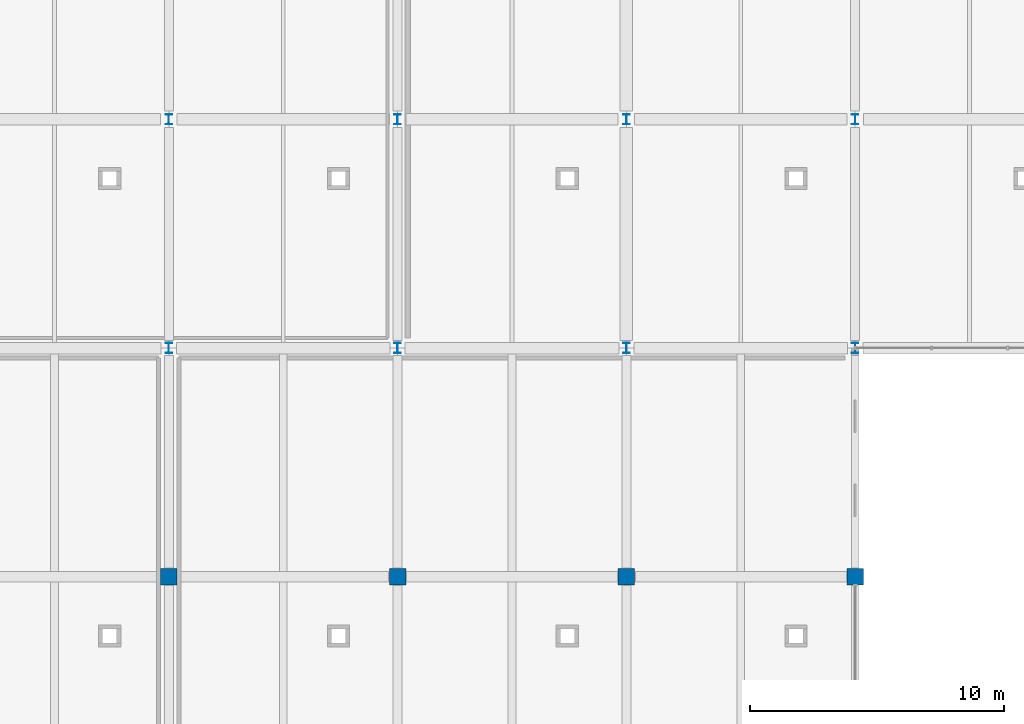
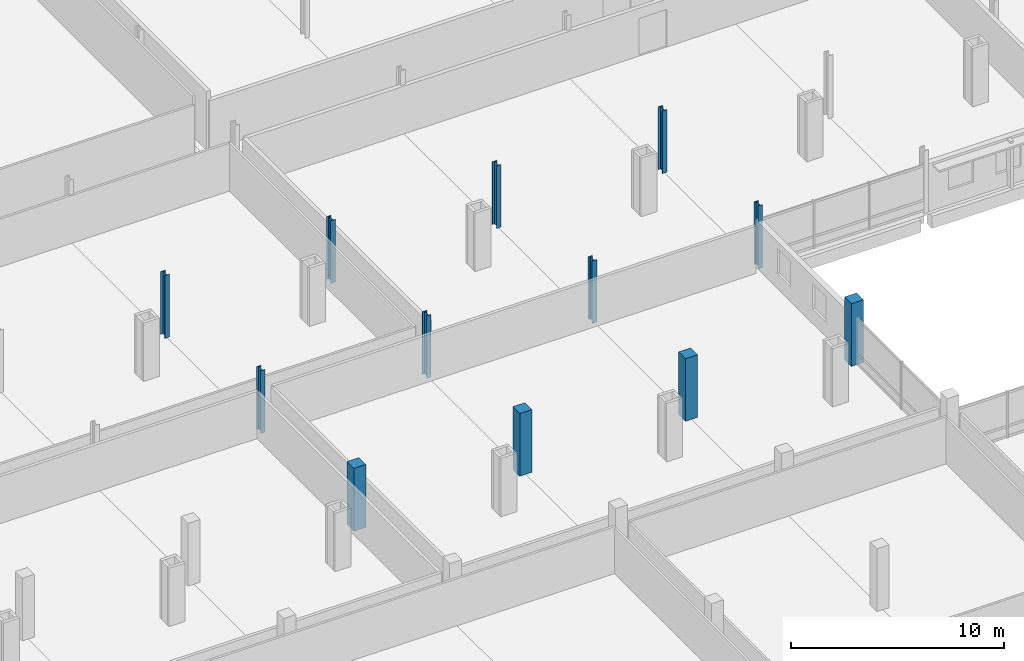
# One storey, part 3 of 132: 12 columns.
"""IFC4 building model written with IfcOpenShell, lengths in metres."""

from ifc_helpers import new_model, si_unit, direction, frame, origin, origin_2d, place, context, subcontext, project, spatial, rectangle, i_section, extrude, material, material_profile, profile_set, type_object, element, save


model = new_model("IFC4")

# Units and contexts
model_context = context("Model", 3, precision=1e-05, world=origin(), true_north=direction((0.0, 1.0)))
body_context = subcontext(model_context, "Body", "Model", "MODEL_VIEW")
ifc_project = project(units=[si_unit("LENGTHUNIT", "METRE"), si_unit("AREAUNIT", "SQUARE_METRE"), si_unit("VOLUMEUNIT", "CUBIC_METRE"), si_unit("PLANEANGLEUNIT", "RADIAN"), si_unit("MASSUNIT", "GRAM", prefix="KILO")], contexts=[model_context])

# Site, building, storey
site_placement = place(None, origin())
site = spatial("IfcSite", under=ifc_project, at=site_placement, CompositionType="ELEMENT")
building_placement = place(site_placement, origin())
building = spatial("IfcBuilding", under=site, at=building_placement, Name="Tharagai Park Tramway Depot", CompositionType="ELEMENT")
storey_placement = place(building_placement, frame((0.0, 0.0, 4.800048828125)))
storey = spatial("IfcBuildingStorey", under=building, at=storey_placement, Name="L01", CompositionType="ELEMENT", Elevation=4.800048828125)

# Columns
ifc_material_1 = material(Name="Steel E350", Category="steel")
ifc_material_profile_1 = material_profile(ifc_material_1, i_section(OverallWidth=0.25, OverallDepth=0.39990234375, WebThickness=0.010498046875, FlangeThickness=0.0126953125, FilletRadius=0.013916015625, at=origin_2d()), Name="ISHB 400")
ifc_profile_set_1 = profile_set([ifc_material_profile_1], Name="Steel E350")
column_type_1 = type_object("IfcColumnType", Name="CL-06", PredefinedType="COLUMN", material=ifc_profile_set_1)
for number, where, z_axis, x_axis, name in (
    (1, (36.0, 45.0, 0.0), (0.0, 0.0, 1.0), (1.0, 0.0, 0.0), "L01 Structural Column CL-06 (36,45)"),
    (2, (36.0, 54.0, 0.0), (0.0, 0.0, 1.0), (1.0, 0.0, 0.0), "L01 Structural Column CL-06 (36,54)"),
    (3, (45.0, 45.0, 0.0), (0.0, 0.0, 1.0), (1.0, 0.0, 0.0), "L01 Structural Column CL-06 (45,45)"),
    (4, (45.0, 54.0, 0.0), (0.0, 0.0, 1.0), (1.0, 0.0, 0.0), "L01 Structural Column CL-06 (45,54)"),
    (5, (54.0, 45.0, 0.0), (0.0, 0.0, 1.0), (1.0, 0.0, 0.0), "L01 Structural Column CL-06 (54,45)"),
    (6, (54.0, 54.0, 0.0), (0.0, 0.0, 1.0), (1.0, 0.0, 0.0), "L01 Structural Column CL-06 (54,54)"),
    (7, (63.0, 45.0, 0.0), (0.0, 0.0, 1.0), (1.0, 0.0, 0.0), "L01 Structural Column CL-06 (63,45)"),
    (8, (63.0, 54.0, 0.0), (0.0, 0.0, 1.0), (1.0, 0.0, 0.0), "L01 Structural Column CL-06 (63,54)"),
):
    element("IfcColumn", number, at=place(storey_placement, frame(where, z_axis=z_axis, x_axis=x_axis)), inside=storey, type_object=column_type_1, Name=name, PredefinedType="COLUMN", context=body_context, shape_type="SweptSolid", body=[
        extrude(i_section(OverallWidth=0.25, OverallDepth=0.39990234375, WebThickness=0.010498046875, FlangeThickness=0.0126953125, FilletRadius=0.013916015625, at=origin_2d()), origin(), (0.0, 0.0, 1.0), 3.599853515625),
    ])
ifc_material_2 = material(Name="Concrete M40", Category="concrete")
ifc_material_profile_2 = material_profile(ifc_material_2, rectangle(XDim=0.64990234375, YDim=0.64990234375, at=origin_2d()), Name="RC 650x650")
ifc_profile_set_2 = profile_set([ifc_material_profile_2], Name="Concrete M40")
column_type_2 = type_object("IfcColumnType", Name="CL-12", PredefinedType="COLUMN", material=ifc_profile_set_2)
for number, where, z_axis, x_axis, name in (
    (9, (36.0, 36.0, 0.0), (0.0, 0.0, 1.0), (1.0, 0.0, 0.0), "L01 Structural Column CL-12 (36,36)"),
    (10, (45.0, 36.0, 0.0), (0.0, 0.0, 1.0), (1.0, 0.0, 0.0), "L01 Structural Column CL-12 (45,36)"),
    (11, (54.0, 36.0, 0.0), (0.0, 0.0, 1.0), (1.0, 0.0, 0.0), "L01 Structural Column CL-12 (54,36)"),
    (12, (63.0, 36.0, 0.0), (0.0, 0.0, 1.0), (1.0, 0.0, 0.0), "L01 Structural Column CL-12 (63,36)"),
):
    element("IfcColumn", number, at=place(storey_placement, frame(where, z_axis=z_axis, x_axis=x_axis)), inside=storey, type_object=column_type_2, Name=name, PredefinedType="COLUMN", context=body_context, shape_type="SweptSolid", body=[
        extrude(rectangle(XDim=0.64990234375, YDim=0.64990234375, at=origin_2d()), origin(), (0.0, 0.0, 1.0), 3.599853515625),
    ])

save(model, "model.ifc")
